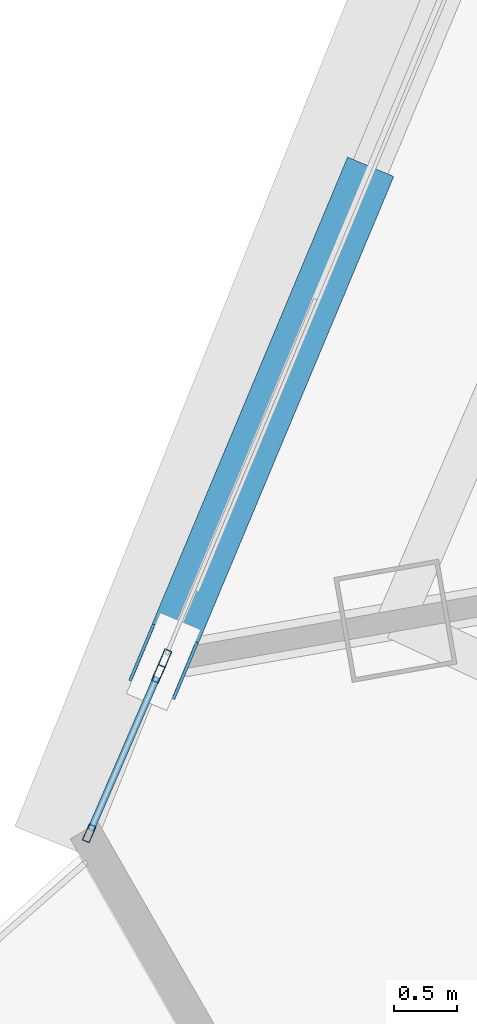
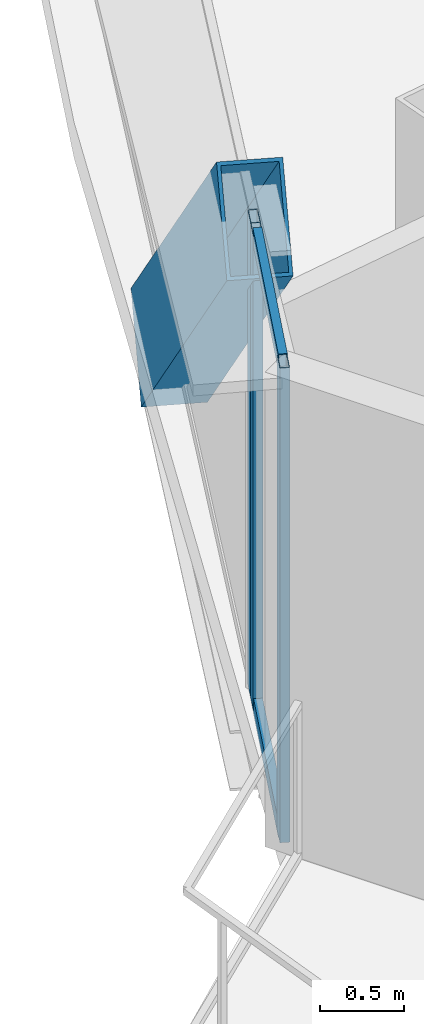
# One storey, part 4 of 37: 6 members, 2 elements without a shape of their own.
"""IFC4 building model written with IfcOpenShell, lengths in metres."""

from ifc_helpers import new_model, si_unit, direction, frame, origin, origin_2d, place, context, subcontext, project, spatial, hollow_rectangle, extrude, source, transform, mapped, material, layer, layer_set, material_profile, profile_set, type_object, element, aggregate, save


model = new_model("IFC4")

# Units and contexts
model_context = context("Model", 3, precision=1e-05, world=origin(), true_north=direction((0.0, 1.0)))
body_context = subcontext(model_context, "Body", "Model", "MODEL_VIEW")
ifc_project = project(units=[si_unit("LENGTHUNIT", "METRE"), si_unit("AREAUNIT", "SQUARE_METRE"), si_unit("VOLUMEUNIT", "CUBIC_METRE"), si_unit("PLANEANGLEUNIT", "RADIAN"), si_unit("MASSUNIT", "GRAM", prefix="KILO"), si_unit("THERMODYNAMICTEMPERATUREUNIT", "KELVIN"), si_unit("POWERUNIT", "WATT")], contexts=[model_context])

# Site, building, storey
site_placement = place(None, origin())
site = spatial("IfcSite", under=ifc_project, at=site_placement, CompositionType="ELEMENT")
building_placement = place(site_placement, origin())
building = spatial("IfcBuilding", under=site, at=building_placement, Name="Yunzhuo Pagoda Commons", CompositionType="ELEMENT")
storey_placement = place(building_placement, frame((0.0, 0.0, 251.989990234375)))
storey = spatial("IfcBuildingStorey", under=building, at=storey_placement, Name="L63", CompositionType="ELEMENT", Elevation=251.989990234375)

# Member
ifc_material_1 = material(Name="Structural steel Q355B", Category="steel")
ifc_material_profile_1 = material_profile(ifc_material_1, hollow_rectangle(XDim=0.39990234375, YDim=0.719970703125, WallThickness=0.02392578125, at=origin_2d()), Name="Structural steel Q355B")
ifc_profile_set_1 = profile_set([ifc_material_profile_1], Name="Structural steel Q355B")
member_type_1 = type_object("IfcMemberType", Name="M-DL2 Brace BOX 720x400x24", PredefinedType="BRACE", material=ifc_profile_set_1)
shared_shape_1 = source(origin(), body_context, "Body", "SweptSolid", [
    extrude(hollow_rectangle(XDim=0.39990234375, YDim=0.719970703125, WallThickness=0.02392578125, at=origin_2d()), origin(), (0.0, 0.0, 1.0), 5.49853515625),
])
member_1_placement = place(storey_placement, frame((15.77392578125, 31.469482421875, -0.259765625), z_axis=(-0.283722982297, -0.677782679931, 0.678315493043), x_axis=(0.922440988301, -0.386138088126, 0.0)))
element("IfcMember", 1, at=member_1_placement, inside=storey, type_object=member_type_1, Name="L63 facade diamond brace F3.3R", PredefinedType="BRACE", context=body_context, shape_type="MappedRepresentation", body=[
    mapped(shared_shape_1, transform((0.0, 0.0, 0.0), scale=1.0)),
])

# Curtain wall, member
ifc_material_2 = material(Name="Anodized aluminium 6063-T6", Category="aluminium")
ifc_layer = layer(ifc_material_2, 0.139892578125)
ifc_layer_set = layer_set([ifc_layer], Name="Anodized aluminium 6063-T6")
curtain_wall_type = type_object("IfcCurtainWallType", Name="CW-HI High-Zone Ribbon Curtain Wall", PredefinedType="NOTDEFINED", material=ifc_layer_set)
curtain_wall_1_placement = place(storey_placement, origin())
curtain_wall_1 = element("IfcCurtainWall", 2, at=curtain_wall_1_placement, inside=storey, type_object=curtain_wall_type, Name="L63 curtain wall CW-L63-F3B4", PredefinedType="NOTDEFINED")
ifc_material_profile_2 = material_profile(ifc_material_2, hollow_rectangle(XDim=0.06005859375, YDim=0.139892578125, WallThickness=0.00341796875, at=origin_2d()), Name="Anodized aluminium 6063-T6")
ifc_profile_set_2 = profile_set([ifc_material_profile_2], Name="Anodized aluminium 6063-T6")
member_type_2 = type_object("IfcMemberType", Name="CW-HI-M Mullion RHS 140x60x3.5", PredefinedType="MULLION", material=ifc_profile_set_2)
shared_shape_2 = source(origin(), body_context, "Body", "SweptSolid", [
    extrude(hollow_rectangle(XDim=0.06005859375, YDim=0.139892578125, WallThickness=0.00341796875, at=origin_2d()), origin(), (0.0, 0.0, 1.0), 3.469970703125),
])
member_2_placement = place(storey_placement, frame((14.2255859375, 27.770263671875, 0.0), z_axis=(0.0, 0.0, 1.0), x_axis=(0.922450521644, -0.38611531324, 0.0)))
member_2 = element("IfcMember", 3, at=member_2_placement, type_object=member_type_2, Name="CW mullion 2", PredefinedType="MULLION", context=body_context, shape_type="MappedRepresentation", body=[
    mapped(shared_shape_2, transform((0.0, 0.0, 0.0), scale=1.0)),
])
aggregate(curtain_wall_1, [member_2])

# Curtain wall, members
curtain_wall_2_placement = place(storey_placement, origin())
curtain_wall_2 = element("IfcCurtainWall", 4, at=curtain_wall_2_placement, inside=storey, type_object=curtain_wall_type, Name="L63 curtain wall CW-L63-F3B5", PredefinedType="NOTDEFINED")
member_3_placement = place(storey_placement, frame((14.172119140625, 27.646240234375, 0.0), z_axis=(0.0, 0.0, 1.0), x_axis=(0.917707471295, -0.397256840254, 0.0)))
member_3 = element("IfcMember", 5, at=member_3_placement, type_object=member_type_2, Name="CW mullion 1", PredefinedType="MULLION", context=body_context, shape_type="MappedRepresentation", body=[
    mapped(shared_shape_2, transform((0.0, 0.0, 0.0), scale=1.0)),
])
member_4_placement = place(storey_placement, frame((13.620361328125, 26.37158203125, 0.0), z_axis=(0.0, 0.0, 1.0), x_axis=(0.917707471295, -0.397256840254, 0.0)))
member_4 = element("IfcMember", 6, at=member_4_placement, type_object=member_type_2, Name="CW mullion 2", PredefinedType="MULLION", context=body_context, shape_type="MappedRepresentation", body=[
    mapped(shared_shape_2, transform((0.0, 0.0, 0.0), scale=1.0)),
])
ifc_material_profile_3 = material_profile(ifc_material_2, hollow_rectangle(XDim=0.054931640625, YDim=0.1201171875, WallThickness=0.00341796875, at=origin_2d()), Name="Anodized aluminium 6063-T6")
ifc_profile_set_3 = profile_set([ifc_material_profile_3], Name="Anodized aluminium 6063-T6")
member_type_3 = type_object("IfcMemberType", Name="CW-HI-T Transom RHS 120x55x3.5", PredefinedType="USERDEFINED", material=ifc_profile_set_3)
shared_shape_3 = source(origin(), body_context, "Body", "SweptSolid", [
    extrude(hollow_rectangle(XDim=0.054931640625, YDim=0.1201171875, WallThickness=0.00341796875, at=origin_2d()), origin(), (0.0, 0.0, 1.0), 1.328857421875),
])
member_5_placement = place(storey_placement, frame((14.16015625, 27.61865234375, 0.027587890625), z_axis=(-0.39722069625, -0.917723116452, 0.0), x_axis=(0.917723116452, -0.39722069625, 0.0)))
member_5 = element("IfcMember", 7, at=member_5_placement, type_object=member_type_3, Name="CW transom 1.1", ObjectType="TRANSOM", PredefinedType="USERDEFINED", context=body_context, shape_type="MappedRepresentation", body=[
    mapped(shared_shape_3, transform((0.0, 0.0, 0.0), scale=1.0)),
])
member_6_placement = place(storey_placement, frame((14.16015625, 27.61865234375, 3.442626953125), z_axis=(-0.39722069625, -0.917723116452, 0.0), x_axis=(0.917723116452, -0.39722069625, 0.0)))
member_6 = element("IfcMember", 8, at=member_6_placement, type_object=member_type_3, Name="CW transom 1.2", ObjectType="TRANSOM", PredefinedType="USERDEFINED", context=body_context, shape_type="MappedRepresentation", body=[
    mapped(shared_shape_3, transform((0.0, 0.0, 0.0), scale=1.0)),
])
aggregate(curtain_wall_2, [member_3, member_4, member_5, member_6])

save(model, "model.ifc")
